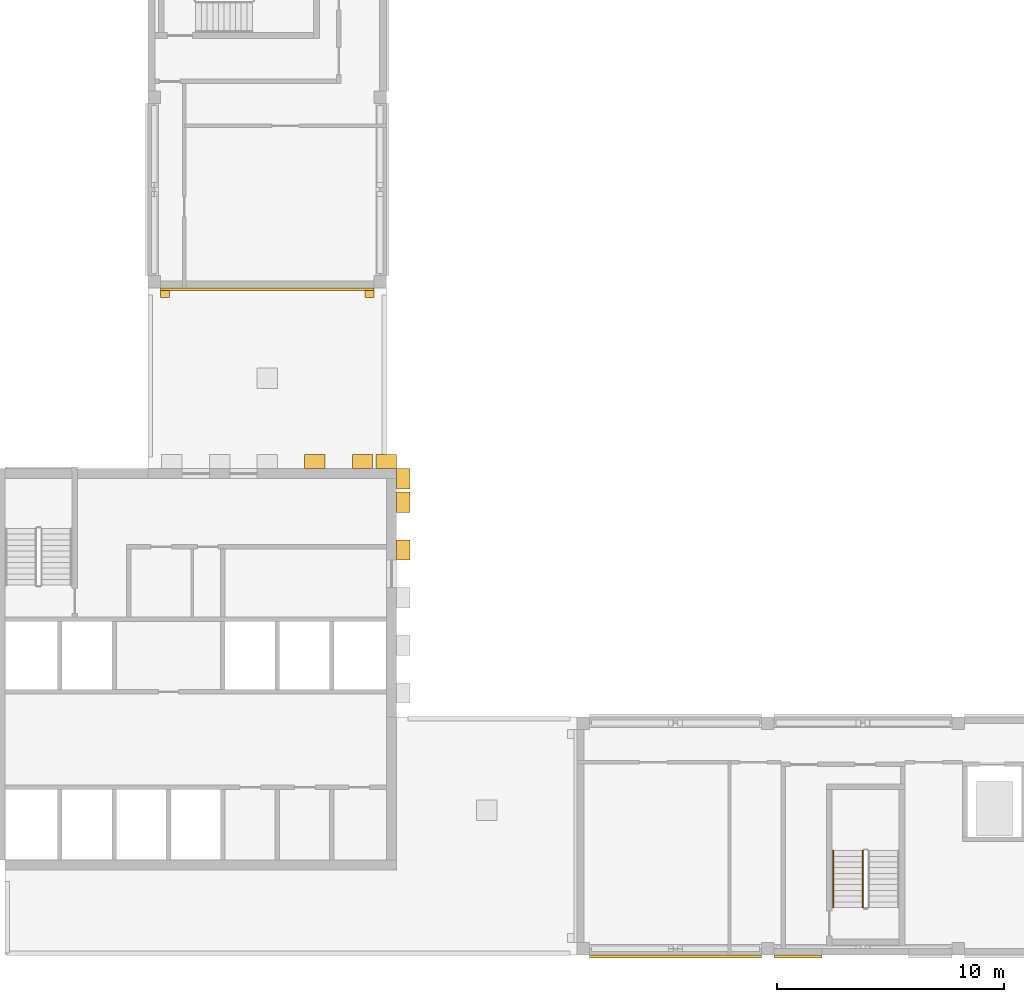
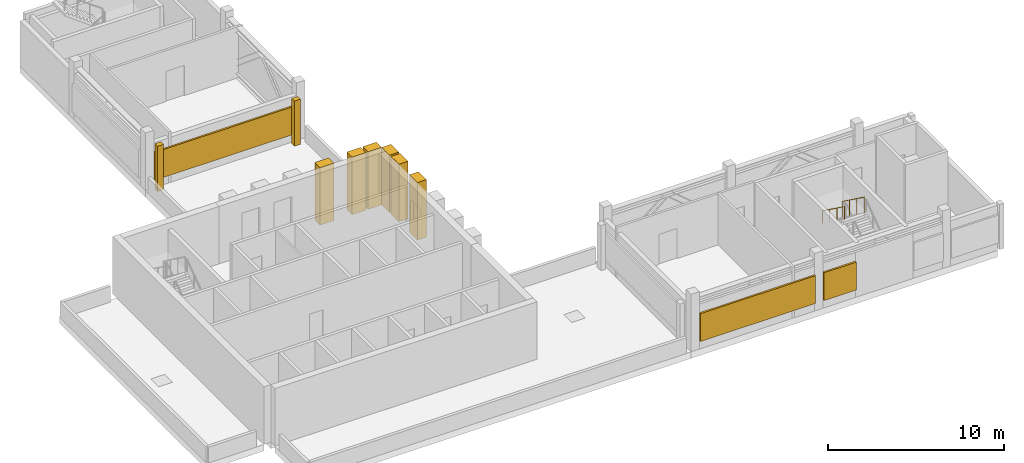
# One storey, part 5 of 8: 11 coverings, 2 railings.
"""IFC4 building model written with IfcOpenShell, lengths in metres."""

from ifc_helpers import new_model, si_unit, direction, frame, origin, origin_2d, place, context, subcontext, project, spatial, rectangle, circle, extrude, source, transform, mapped, material, type_object, element, save


model = new_model("IFC4")

# Units and contexts
model_context = context("Model", 3, precision=1e-05, world=origin(), true_north=direction((0.0, 1.0)))
body_context = subcontext(model_context, "Body", "Model", "MODEL_VIEW")
ifc_project = project(units=[si_unit("LENGTHUNIT", "METRE"), si_unit("AREAUNIT", "SQUARE_METRE"), si_unit("VOLUMEUNIT", "CUBIC_METRE"), si_unit("PLANEANGLEUNIT", "RADIAN"), si_unit("MASSUNIT", "GRAM", prefix="KILO")], contexts=[model_context])

# Site, building, storey
site_placement = place(None, origin())
site = spatial("IfcSite", under=ifc_project, at=site_placement, CompositionType="ELEMENT")
building_placement = place(site_placement, origin())
building = spatial("IfcBuilding", under=site, at=building_placement, Name="Aurelian Terraces", CompositionType="ELEMENT")
storey_placement = place(building_placement, frame((0.0, 0.0, 368.5)))
storey = spatial("IfcBuildingStorey", under=building, at=storey_placement, Name="L88", CompositionType="ELEMENT", Elevation=368.5)

# Coverings
ifc_material_1 = material(Name="Terracotta rainscreen cladding relief", Category="masonry")
covering_type_1 = type_object("IfcCoveringType", Name="FIN-TC", PredefinedType="CLADDING", material=ifc_material_1)
covering_1_placement = place(storey_placement, frame((11.25, 29.13, 0.0), z_axis=(0.0, 0.0, 1.0), x_axis=(1.0, 0.0, 0.0)))
element("IfcCovering", 1, at=covering_1_placement, inside=storey, type_object=covering_type_1, Name="FIN crown L88 F09", PredefinedType="CLADDING", context=body_context, shape_type="SweptSolid", body=[
    extrude(rectangle(XDim=0.4, YDim=0.3, at=origin_2d()), origin(), (0.0, 0.0, 1.0), 3.1363),
])
ifc_material_2 = material(Name="Terracotta rainscreen cladding louvre blades", Category="masonry")
covering_type_2 = type_object("IfcCoveringType", Name="LOUVRE-TC", PredefinedType="CLADDING", material=ifc_material_2)
covering_2_placement = place(storey_placement, frame((33.7375, -0.06, 0.6001), z_axis=(0.0, 0.0, 1.0), x_axis=(1.0, 0.0, 0.0)))
element("IfcCovering", 2, at=covering_2_placement, inside=storey, type_object=covering_type_2, Name="LOUVRE L88 F05", PredefinedType="CLADDING", context=body_context, shape_type="SweptSolid", body=[
    extrude(rectangle(XDim=7.575, YDim=0.12, at=origin_2d()), origin(), (0.0, 0.0, 1.0), 1.9363),
])
covering_3_placement = place(storey_placement, frame((39.1375, -0.06, 0.6001), z_axis=(0.0, 0.0, 1.0), x_axis=(1.0, 0.0, 0.0)))
element("IfcCovering", 3, at=covering_3_placement, inside=storey, type_object=covering_type_2, Name="LOUVRE L88 F05", PredefinedType="CLADDING", context=body_context, shape_type="SweptSolid", body=[
    extrude(rectangle(XDim=2.125, YDim=0.12, at=origin_2d()), origin(), (0.0, 0.0, 1.0), 1.9363),
])
covering_4_placement = place(storey_placement, frame((15.75, 29.34, 0.6001), z_axis=(0.0, 0.0, 1.0), x_axis=(1.0, 0.0, 0.0)))
element("IfcCovering", 4, at=covering_4_placement, inside=storey, type_object=covering_type_2, Name="LOUVRE L88 F09", PredefinedType="CLADDING", context=body_context, shape_type="SweptSolid", body=[
    extrude(rectangle(XDim=9.4, YDim=0.12, at=origin_2d()), origin(), (0.0, 0.0, 1.0), 1.9363),
])
shared_shape_1 = source(origin(), body_context, "Body", "SweptSolid", [
    extrude(rectangle(XDim=0.4, YDim=0.3, at=origin_2d()), origin(), (0.0, 0.0, 1.0), 3.1363),
])
covering_5_placement = place(storey_placement, frame((20.25, 29.13, 0.0), z_axis=(0.0, 0.0, 1.0), x_axis=(1.0, 0.0, 0.0)))
element("IfcCovering", 5, at=covering_5_placement, inside=storey, type_object=covering_type_1, Name="FIN crown L88 F09", PredefinedType="CLADDING", context=body_context, shape_type="MappedRepresentation", body=[
    mapped(shared_shape_1, transform((0.0, 0.0, 0.0), scale=1.0)),
])

# Railings
ifc_material_3 = material(Name="Stainless steel", Category="steel")
railing_type_1 = type_object("IfcRailingType", Name="Stair guard 1100", PredefinedType="GUARDRAIL", material=ifc_material_3)
shared_shape_2 = source(origin(), body_context, "Body", "SweptSolid", [
    extrude(circle(Radius=0.024, at=origin_2d()), frame((0.0, 0.0, 1.076), z_axis=(0.0, -0.808733286514, 0.588175544616), x_axis=(1.0, 0.0, 0.0)), (0.0, 0.0, 1.0), 3.0913),
    extrude(circle(Radius=0.021, at=origin_2d()), origin(), (0.0, 0.0, 1.0), 1.052),
    extrude(circle(Radius=0.021, at=origin_2d()), frame((0.0, -0.8333, 0.6061)), (0.0, 0.0, 1.0), 1.052),
    extrude(circle(Radius=0.021, at=origin_2d()), frame((0.0, -1.6667, 1.2121)), (0.0, 0.0, 1.0), 1.052),
    extrude(circle(Radius=0.021, at=origin_2d()), frame((0.0, -2.5, 1.8182)), (0.0, 0.0, 1.0), 1.052),
])
railing_1_placement = place(storey_placement, frame((42.0, 4.6, 2.1818)))
element("IfcRailing", 6, at=railing_1_placement, inside=storey, type_object=railing_type_1, Name="L88 S2 stair guard 3", PredefinedType="GUARDRAIL", context=body_context, shape_type="MappedRepresentation", body=[
    mapped(shared_shape_2, transform((0.0, 0.0, 0.0), scale=1.0)),
])
railing_type_2 = type_object("IfcRailingType", Name="Stair handrail", PredefinedType="HANDRAIL", material=ifc_material_3)
shared_shape_3 = source(origin(), body_context, "Body", "SweptSolid", [
    extrude(circle(Radius=0.024, at=origin_2d()), frame((0.0, 0.0, 0.876), z_axis=(0.0, -0.808733286514, 0.588175544616), x_axis=(1.0, 0.0, 0.0)), (0.0, 0.0, 1.0), 3.0913),
    extrude(circle(Radius=0.021, at=origin_2d()), origin(), (0.0, 0.0, 1.0), 0.852),
    extrude(circle(Radius=0.021, at=origin_2d()), frame((0.0, -0.8333, 0.6061)), (0.0, 0.0, 1.0), 0.852),
    extrude(circle(Radius=0.021, at=origin_2d()), frame((0.0, -1.6667, 1.2121)), (0.0, 0.0, 1.0), 0.852),
    extrude(circle(Radius=0.021, at=origin_2d()), frame((0.0, -2.5, 1.8182)), (0.0, 0.0, 1.0), 0.852),
])
railing_2_placement = place(storey_placement, frame((40.7, 4.6, 2.1818)))
element("IfcRailing", 7, at=railing_2_placement, inside=storey, type_object=railing_type_2, Name="L88 S2 stair handrail 2", PredefinedType="HANDRAIL", context=body_context, shape_type="MappedRepresentation", body=[
    mapped(shared_shape_3, transform((0.0, 0.0, 0.0), scale=1.0)),
])

# Coverings
covering_type_3 = type_object("IfcCoveringType", Name="Core spine pier 900x600", PredefinedType="CLADDING", material=ifc_material_1)
shared_shape_4 = source(origin(), body_context, "Body", "SweptSolid", [
    extrude(rectangle(XDim=0.6, YDim=0.9, at=origin_2d()), origin(), (0.0, 0.0, 1.0), 4.0),
])
for number, where, z_axis, x_axis, name in (
    (8, (21.75, 17.85, 0.0), (0.0, 0.0, 1.0), (1.0, 0.0, 0.0), "Spine pier L88 E4"),
    (9, (21.75, 19.95, 0.0), (0.0, 0.0, 1.0), (1.0, 0.0, 0.0), "Spine pier L88 E5"),
    (10, (21.75, 21.0, 0.0), (0.0, 0.0, 1.0), (1.0, 0.0, 0.0), "Spine pier L88 corner east"),
):
    element("IfcCovering", number, at=place(storey_placement, frame(where, z_axis=z_axis, x_axis=x_axis)), inside=storey, type_object=covering_type_3, Name=name, PredefinedType="CLADDING", context=body_context, shape_type="MappedRepresentation", body=[
        mapped(shared_shape_4, transform((0.0, 0.0, 0.0), scale=1.0)),
    ])
shared_shape_5 = source(origin(), body_context, "Body", "SweptSolid", [
    extrude(rectangle(XDim=0.9, YDim=0.6, at=origin_2d()), origin(), (0.0, 0.0, 1.0), 4.0),
])
for number, where, z_axis, x_axis, name in (
    (11, (17.85, 21.75, 0.0), (0.0, 0.0, 1.0), (1.0, 0.0, 0.0), "Spine pier L88 N9"),
    (12, (19.95, 21.75, 0.0), (0.0, 0.0, 1.0), (1.0, 0.0, 0.0), "Spine pier L88 N10"),
    (13, (21.0, 21.75, 0.0), (0.0, 0.0, 1.0), (1.0, 0.0, 0.0), "Spine pier L88 corner north"),
):
    element("IfcCovering", number, at=place(storey_placement, frame(where, z_axis=z_axis, x_axis=x_axis)), inside=storey, type_object=covering_type_3, Name=name, PredefinedType="CLADDING", context=body_context, shape_type="MappedRepresentation", body=[
        mapped(shared_shape_5, transform((0.0, 0.0, 0.0), scale=1.0)),
    ])

save(model, "model.ifc")
